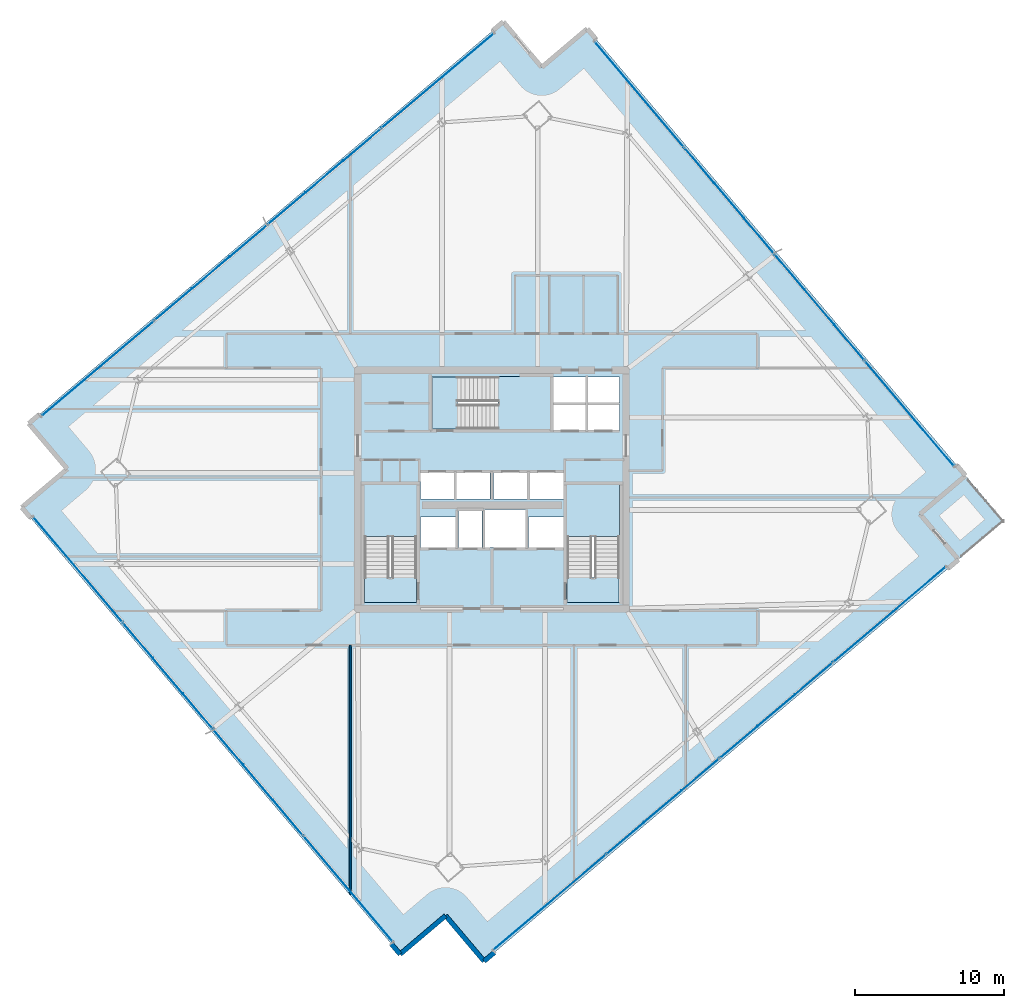
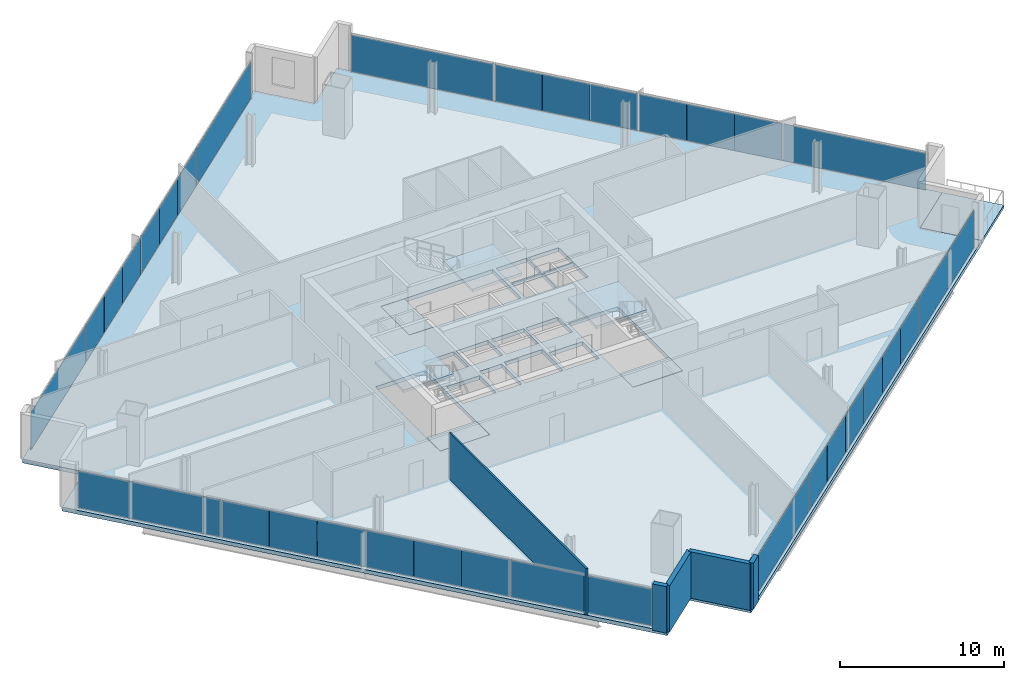
# One storey, part 25 of 34: 32 plates, 8 slabs, 5 walls, 7 elements without a shape of their own.
"""IFC4 building model written with IfcOpenShell, lengths in metres."""

from ifc_helpers import new_model, si_unit, direction, frame, frame_2d, origin, origin_2d, place, context, subcontext, project, spatial, polyline, rectangle, outline, extrude, source, transform, mapped, material, layer, layer_set, type_object, element, aggregate, save


model = new_model("IFC4")

# Units and contexts
model_context = context("Model", 3, precision=1e-05, world=origin(), true_north=direction((0.0, 1.0)))
body_context = subcontext(model_context, "Body", "Model", "MODEL_VIEW")
ifc_project = project(units=[si_unit("LENGTHUNIT", "METRE"), si_unit("AREAUNIT", "SQUARE_METRE"), si_unit("VOLUMEUNIT", "CUBIC_METRE"), si_unit("PLANEANGLEUNIT", "RADIAN"), si_unit("MASSUNIT", "GRAM", prefix="KILO")], contexts=[model_context])

# Site, building, storey
site_placement = place(None, origin())
site = spatial("IfcSite", under=ifc_project, at=site_placement, CompositionType="ELEMENT")
building_placement = place(site_placement, origin())
building = spatial("IfcBuilding", under=site, at=building_placement, Name="Haldenkirk Collegiate Tower", CompositionType="ELEMENT")
storey_placement = place(building_placement, frame((0.0, 0.0, 163.199951171875)))
storey = spatial("IfcBuildingStorey", under=building, at=storey_placement, Name="L40", CompositionType="ELEMENT", Elevation=163.199951171875)

# Slab
ifc_material_1 = material(Name="Concrete f'c 40 MPa", Category="concrete")
ifc_layer_1 = layer(ifc_material_1, 0.2900390625)
ifc_layer_set_1 = layer_set([ifc_layer_1], Name="Concrete f'c 40 MPa")
slab_type_1 = type_object("IfcSlabType", Name="SLB-FLR-290", PredefinedType="FLOOR", material=ifc_layer_set_1)
slab_1_placement = place(storey_placement, frame((0.0, 0.0, -0.2900390625)))
element("IfcSlab", 1, at=slab_1_placement, inside=storey, type_object=slab_type_1, Name="L40 composite structural floor slab", PredefinedType="FLOOR", context=body_context, shape_type="SweptSolid", body=[
    extrude(outline(polyline([(35.48046875, -5.65576171875), (67.307373046875, 21.28759765625), (64.722900390625, 24.340576171875), (67.775634765625, 26.925048828125), (42.399169921875, 56.901123046875), (39.34619140625, 54.316650390625), (36.76171875, 57.369384765625), (4.93505859375, 30.426025390625), (7.51953125, 27.373291015625), (4.466552734375, 24.788818359375), (29.843017578125, -5.187255859375), (32.89599609375, -2.602783203125), (35.48046875, -5.65576171875)]), holes=[polyline([(27.449951171875, 18.39990234375), (30.949951171875, 18.39990234375), (30.949951171875, 26.300048828125), (27.449951171875, 26.300048828125), (27.449951171875, 18.39990234375)]), polyline([(41.050048828125, 18.39990234375), (44.550048828125, 18.39990234375), (44.550048828125, 26.300048828125), (41.050048828125, 26.300048828125), (41.050048828125, 18.39990234375)]), polyline([(32.0, 30.050048828125), (39.89990234375, 30.050048828125), (39.89990234375, 33.550048828125), (32.0, 33.550048828125), (32.0, 30.050048828125)]), polyline([(33.75, 22.10009765625), (35.35009765625, 22.10009765625), (35.35009765625, 24.550048828125), (33.75, 24.550048828125), (33.75, 22.10009765625)]), polyline([(40.14990234375, 29.949951171875), (42.320068359375, 29.949951171875), (42.320068359375, 31.699951171875), (40.14990234375, 31.699951171875), (40.14990234375, 29.949951171875)]), polyline([(42.419921875, 29.949951171875), (44.550048828125, 29.949951171875), (44.550048828125, 31.699951171875), (42.419921875, 31.699951171875), (42.419921875, 29.949951171875)]), polyline([(40.14990234375, 31.800048828125), (42.320068359375, 31.800048828125), (42.320068359375, 33.550048828125), (40.14990234375, 33.550048828125), (40.14990234375, 31.800048828125)]), polyline([(42.419921875, 31.800048828125), (44.550048828125, 31.800048828125), (44.550048828125, 33.550048828125), (42.419921875, 33.550048828125), (42.419921875, 31.800048828125)]), polyline([(31.199951171875, 25.35009765625), (33.47998046875, 25.35009765625), (33.47998046875, 27.14990234375), (31.199951171875, 27.14990234375), (31.199951171875, 25.35009765625)]), polyline([(33.60009765625, 25.35009765625), (35.8798828125, 25.35009765625), (35.8798828125, 27.14990234375), (33.60009765625, 27.14990234375), (33.60009765625, 25.35009765625)]), polyline([(36.1201171875, 25.35009765625), (38.39990234375, 25.35009765625), (38.39990234375, 27.14990234375), (36.1201171875, 27.14990234375), (36.1201171875, 25.35009765625)]), polyline([(38.52001953125, 25.35009765625), (40.800048828125, 25.35009765625), (40.800048828125, 27.14990234375), (38.52001953125, 27.14990234375), (38.52001953125, 25.35009765625)]), polyline([(31.199951171875, 22.10009765625), (33.550048828125, 22.10009765625), (33.550048828125, 24.14990234375), (31.199951171875, 24.14990234375), (31.199951171875, 22.10009765625)]), polyline([(38.449951171875, 22.10009765625), (40.800048828125, 22.10009765625), (40.800048828125, 24.14990234375), (38.449951171875, 24.14990234375), (38.449951171875, 22.10009765625)]), polyline([(35.550048828125, 22.10009765625), (38.25, 22.10009765625), (38.25, 24.64990234375), (35.550048828125, 24.64990234375), (35.550048828125, 22.10009765625)])]), origin(), (0.0, 0.0, 1.0), 0.2900390625),
])

# Stair, slab
stair_type = type_object("IfcStairType", Name="STR-DOGLEG-1650", PredefinedType="HALF_TURN_STAIR", material=ifc_material_1)
stair_1_placement = place(storey_placement, origin())
stair_1 = element("IfcStair", 2, at=stair_1_placement, inside=storey, type_object=stair_type, Name="L40 Core Exit Stair ST-1", PredefinedType="HALF_TURN_STAIR")
ifc_layer_2 = layer(ifc_material_1, 0.199951171875)
ifc_layer_set_2 = layer_set([ifc_layer_2], Name="Concrete f'c 40 MPa")
slab_type_2 = type_object("IfcSlabType", Name="SLB-LANDING-200", PredefinedType="LANDING", material=ifc_layer_set_2)
slab_2_placement = place(storey_placement, frame((0.0, 0.0, 1.675048828125)))
slab_2 = element("IfcSlab", 3, at=slab_2_placement, type_object=slab_type_2, Name="ST-1 landing 1", PredefinedType="LANDING", context=body_context, shape_type="SweptSolid", body=[
    extrude(outline(polyline([(30.97509765625, 22.824951171875), (27.425048828125, 22.824951171875), (27.425048828125, 26.324951171875), (30.97509765625, 26.324951171875), (30.97509765625, 22.824951171875)])), origin(), (0.0, 0.0, 1.0), 0.199951171875),
])
aggregate(stair_1, [slab_2])

stair_2_placement = place(storey_placement, origin())
stair_2 = element("IfcStair", 4, at=stair_2_placement, inside=storey, type_object=stair_type, Name="L40 Core Exit Stair ST-2", PredefinedType="HALF_TURN_STAIR")
slab_3_placement = place(storey_placement, frame((0.0, 0.0, 1.675048828125)))
slab_3 = element("IfcSlab", 5, at=slab_3_placement, type_object=slab_type_2, Name="ST-2 landing 1", PredefinedType="LANDING", context=body_context, shape_type="SweptSolid", body=[
    extrude(outline(polyline([(44.574951171875, 22.824951171875), (41.02490234375, 22.824951171875), (41.02490234375, 26.324951171875), (44.574951171875, 26.324951171875), (44.574951171875, 22.824951171875)])), origin(), (0.0, 0.0, 1.0), 0.199951171875),
])
aggregate(stair_2, [slab_3])

stair_3_placement = place(storey_placement, origin())
stair_3 = element("IfcStair", 6, at=stair_3_placement, inside=storey, type_object=stair_type, Name="L40 Core Exit Stair ST-3", PredefinedType="HALF_TURN_STAIR")
slab_4_placement = place(storey_placement, frame((0.0, 0.0, 1.675048828125)))
slab_4 = element("IfcSlab", 7, at=slab_4_placement, type_object=slab_type_2, Name="ST-3 landing 1", PredefinedType="LANDING", context=body_context, shape_type="SweptSolid", body=[
    extrude(outline(polyline([(36.425048828125, 30.02490234375), (36.425048828125, 33.574951171875), (39.925048828125, 33.574951171875), (39.925048828125, 30.02490234375), (36.425048828125, 30.02490234375)])), origin(), (0.0, 0.0, 1.0), 0.199951171875),
])
aggregate(stair_3, [slab_4])

# Slabs
ifc_layer_3 = layer(ifc_material_1, 0.25)
ifc_layer_set_3 = layer_set([ifc_layer_3], Name="Concrete f'c 40 MPa")
slab_type_3 = type_object("IfcSlabType", Name="SLB-STAIRLAND-250", PredefinedType="LANDING", material=ifc_layer_set_3)
slab_5_placement = place(storey_placement, frame((0.0, 0.0, -0.25)))
element("IfcSlab", 8, at=slab_5_placement, inside=storey, type_object=slab_type_3, Name="L40 stair ST1 structural floor landing slab", PredefinedType="LANDING", context=body_context, shape_type="SweptSolid", body=[
    extrude(outline(polyline([(27.4599609375, 18.409912109375), (30.93994140625, 18.409912109375), (30.93994140625, 20.080078125), (27.4599609375, 20.080078125), (27.4599609375, 18.409912109375)])), origin(), (0.0, 0.0, 1.0), 0.25),
])
slab_6_placement = place(storey_placement, frame((0.0, 0.0, -0.25)))
element("IfcSlab", 9, at=slab_6_placement, inside=storey, type_object=slab_type_3, Name="L40 stair ST2 structural floor landing slab", PredefinedType="LANDING", context=body_context, shape_type="SweptSolid", body=[
    extrude(outline(polyline([(41.06005859375, 18.409912109375), (44.5400390625, 18.409912109375), (44.5400390625, 20.080078125), (41.06005859375, 20.080078125), (41.06005859375, 18.409912109375)])), origin(), (0.0, 0.0, 1.0), 0.25),
])
slab_7_placement = place(storey_placement, frame((0.0, 0.0, -0.25)))
element("IfcSlab", 10, at=slab_7_placement, inside=storey, type_object=slab_type_3, Name="L40 stair ST3 structural floor landing slab", PredefinedType="LANDING", context=body_context, shape_type="SweptSolid", body=[
    extrude(outline(polyline([(32.010009765625, 30.06005859375), (33.679931640625, 30.06005859375), (33.679931640625, 33.5400390625), (32.010009765625, 33.5400390625), (32.010009765625, 30.06005859375)])), origin(), (0.0, 0.0, 1.0), 0.25),
])
ifc_layer_4 = layer(ifc_material_1, 0.22998046875)
ifc_layer_set_4 = layer_set([ifc_layer_4], Name="Concrete f'c 40 MPa")
slab_type_4 = type_object("IfcSlabType", Name="SLB-TERR-SPIRAL-230", PredefinedType="FLOOR", material=ifc_layer_set_4)
slab_8_placement = place(storey_placement, frame((0.0, 0.0, -0.22998046875)))
element("IfcSlab", 11, at=slab_8_placement, inside=storey, type_object=slab_type_4, Name="L40 spiralling corner terrace slab", PredefinedType="FLOOR", context=body_context, shape_type="SweptSolid", body=[
    extrude(outline(polyline([(67.307373046875, 21.28759765625), (70.360107421875, 23.872314453125), (67.775634765625, 26.925048828125), (64.722900390625, 24.340576171875), (67.307373046875, 21.28759765625)])), origin(), (0.0, 0.0, 1.0), 0.22998046875),
])

# Curtain wall, plates
ifc_material_2 = material(Name="Anodised architectural bronze aluminium", Category="aluminium")
curtain_wall_type_1 = type_object("IfcCurtainWallType", Name="CW-SYS2-CONCAVE", PredefinedType="USERDEFINED", material=ifc_material_2)
curtain_wall_1_placement = place(storey_placement, origin())
curtain_wall_1 = element("IfcCurtainWall", 12, at=curtain_wall_1_placement, inside=storey, type_object=curtain_wall_type_1, Name="L40 South concave recessed bronze-anodised curtain wall", ObjectType="UNITISED CURTAIN WALL", PredefinedType="USERDEFINED")
ifc_material_3 = material(Name="Low-E argon triple insulating glass", Category="glass")
ifc_layer_5 = layer(ifc_material_3, 0.0419921875)
ifc_layer_set_5 = layer_set([ifc_layer_5], Name="Low-E argon triple insulating glass")
plate_type_1 = type_object("IfcPlateType", Name="CW-PNL-02", PredefinedType="CURTAIN_PANEL", material=ifc_layer_set_5)
shared_shape_1 = source(origin(), body_context, "Body", "SweptSolid", [
    extrude(rectangle(XDim=9.862548828125, YDim=0.0419921875, at=origin_2d()), origin(), (0.0, 0.0, 1.0), 2.760986328125),
])
plate_1_placement = place(storey_placement, frame((62.68310546875, 17.60888671875, 0.0751953125), z_axis=(0.0, 0.0, 1.0), x_axis=(-0.763232067994, -0.646124454254, 0.0)))
plate_1 = element("IfcPlate", 13, at=plate_1_placement, type_object=plate_type_1, Name="CW-02 panel 1.1", PredefinedType="CURTAIN_PANEL", context=body_context, shape_type="MappedRepresentation", body=[
    mapped(shared_shape_1, transform((0.0, 0.0, 0.0), x_axis=(1.0, 0.0, 0.0), y_axis=(0.0, 1.0, 0.0), z_axis=(0.0, 0.0, 1.0), scale=1.0)),
])
plate_2_placement = place(storey_placement, frame((39.8720703125, -1.7021484375, 0.0751953125), z_axis=(0.0, 0.0, 1.0), x_axis=(-0.763232067994, -0.646124454254, 0.0)))
plate_2 = element("IfcPlate", 14, at=plate_2_placement, type_object=plate_type_1, Name="CW-02 panel 4.1", PredefinedType="CURTAIN_PANEL", context=body_context, shape_type="MappedRepresentation", body=[
    mapped(shared_shape_1, transform((0.0, 0.0, 0.0), x_axis=(1.0, 0.0, 0.0), y_axis=(0.0, 1.0, 0.0), z_axis=(0.0, 0.0, 1.0), scale=1.0)),
])
shared_shape_2 = source(origin(), body_context, "Body", "SweptSolid", [
    extrude(rectangle(XDim=3.28759765625, YDim=0.0419921875, at=origin_2d()), origin(), (0.0, 0.0, 1.0), 2.760986328125),
])
plate_3_placement = place(storey_placement, frame((57.607666015625, 13.312255859375, 0.0751953125), z_axis=(0.0, 0.0, 1.0), x_axis=(-0.763232067994, -0.646124454254, 0.0)))
plate_3 = element("IfcPlate", 15, at=plate_3_placement, type_object=plate_type_1, Name="CW-02 panel 2.1a", PredefinedType="CURTAIN_PANEL", context=body_context, shape_type="MappedRepresentation", body=[
    mapped(shared_shape_2, transform((0.0, 0.0, 0.0), x_axis=(1.0, 0.0, 0.0), y_axis=(0.0, 1.0, 0.0), z_axis=(0.0, 0.0, 1.0), scale=1.0)),
])
ifc_material_4 = material(Name="Bronze-anodised insulated aluminium spandrel panel", Category="aluminium")
ifc_layer_6 = layer(ifc_material_4, 0.0419921875)
ifc_layer_set_6 = layer_set([ifc_layer_6], Name="Bronze-anodised insulated aluminium spandrel panel")
plate_type_2 = type_object("IfcPlateType", Name="CW-SPD-02", PredefinedType="CURTAIN_PANEL", material=ifc_layer_set_6)
plate_4_placement = place(storey_placement, frame((52.560791015625, 9.039794921875, 0.0751953125), z_axis=(0.0, 0.0, 1.0), x_axis=(-0.763232067994, -0.646124454254, 0.0)))
plate_4 = element("IfcPlate", 16, at=plate_4_placement, type_object=plate_type_2, Name="CW-02 spandrel panel 2.1c", PredefinedType="CURTAIN_PANEL", context=body_context, shape_type="MappedRepresentation", body=[
    mapped(shared_shape_2, transform((0.0, 0.0, 0.0), x_axis=(1.0, 0.0, 0.0), y_axis=(0.0, 1.0, 0.0), z_axis=(0.0, 0.0, 1.0), scale=1.0)),
])
plate_5_placement = place(storey_placement, frame((49.994384765625, 6.8671875, 0.0751953125), z_axis=(0.0, 0.0, 1.0), x_axis=(-0.763232067994, -0.646124454254, 0.0)))
plate_5 = element("IfcPlate", 17, at=plate_5_placement, type_object=plate_type_2, Name="CW-02 spandrel panel 3.1a", PredefinedType="CURTAIN_PANEL", context=body_context, shape_type="MappedRepresentation", body=[
    mapped(shared_shape_2, transform((0.0, 0.0, 0.0), x_axis=(1.0, 0.0, 0.0), y_axis=(0.0, 1.0, 0.0), z_axis=(0.0, 0.0, 1.0), scale=1.0)),
])
plate_6_placement = place(storey_placement, frame((44.947509765625, 2.594482421875, 0.0751953125), z_axis=(0.0, 0.0, 1.0), x_axis=(-0.763232067994, -0.646124454254, 0.0)))
plate_6 = element("IfcPlate", 18, at=plate_6_placement, type_object=plate_type_2, Name="CW-02 spandrel panel 3.1c", PredefinedType="CURTAIN_PANEL", context=body_context, shape_type="MappedRepresentation", body=[
    mapped(shared_shape_2, transform((0.0, 0.0, 0.0), x_axis=(1.0, 0.0, 0.0), y_axis=(0.0, 1.0, 0.0), z_axis=(0.0, 0.0, 1.0), scale=1.0)),
])
shared_shape_3 = source(origin(), body_context, "Body", "SweptSolid", [
    extrude(rectangle(XDim=3.27490234375, YDim=0.0419921875, at=origin_2d()), origin(), (0.0, 0.0, 1.0), 2.760986328125),
])
plate_7_placement = place(storey_placement, frame((55.084228515625, 11.17578125, 0.0751953125), z_axis=(0.0, 0.0, 1.0), x_axis=(-0.763232067994, -0.646124454254, 0.0)))
plate_7 = element("IfcPlate", 19, at=plate_7_placement, type_object=plate_type_2, Name="CW-02 spandrel panel 2.1b", PredefinedType="CURTAIN_PANEL", context=body_context, shape_type="MappedRepresentation", body=[
    mapped(shared_shape_3, transform((0.0, 0.0, 0.0), x_axis=(1.0, 0.0, 0.0), y_axis=(0.0, 1.0, 0.0), z_axis=(0.0, 0.0, 1.0), scale=1.0)),
])
plate_8_placement = place(storey_placement, frame((47.470947265625, 4.730712890625, 0.0751953125), z_axis=(0.0, 0.0, 1.0), x_axis=(-0.763232067994, -0.646124454254, 0.0)))
plate_8 = element("IfcPlate", 20, at=plate_8_placement, type_object=plate_type_2, Name="CW-02 spandrel panel 3.1b", PredefinedType="CURTAIN_PANEL", context=body_context, shape_type="MappedRepresentation", body=[
    mapped(shared_shape_3, transform((0.0, 0.0, 0.0), x_axis=(1.0, 0.0, 0.0), y_axis=(0.0, 1.0, 0.0), z_axis=(0.0, 0.0, 1.0), scale=1.0)),
])
aggregate(curtain_wall_1, [plate_1, plate_3, plate_7, plate_4, plate_5, plate_8, plate_6, plate_2])

curtain_wall_type_2 = type_object("IfcCurtainWallType", Name="CW-SYS1-CONVEX-LOW", PredefinedType="USERDEFINED", material=ifc_material_2)
curtain_wall_2_placement = place(storey_placement, origin())
curtain_wall_2 = element("IfcCurtainWall", 21, at=curtain_wall_2_placement, inside=storey, type_object=curtain_wall_type_2, Name="L40 Lower tower convex bronze-framed unitised curtain wall", ObjectType="UNITISED CURTAIN WALL", PredefinedType="USERDEFINED")
ifc_layer_7 = layer(ifc_material_3, 0.0439453125)
ifc_layer_set_7 = layer_set([ifc_layer_7], Name="Low-E argon triple insulating glass")
plate_type_3 = type_object("IfcPlateType", Name="CW-PNL-1A", PredefinedType="CURTAIN_PANEL", material=ifc_layer_set_7)
shared_shape_4 = source(origin(), body_context, "Body", "SweptSolid", [
    extrude(rectangle(XDim=9.248779296875, YDim=0.0439453125, at=origin_2d()), origin(), (0.0, 0.0, 1.0), 2.7509765625),
])
plate_9_placement = place(storey_placement, frame((45.8828125, 52.50732421875, 0.080078125), z_axis=(0.0, 0.0, 1.0), x_axis=(0.646123208095, -0.763233122945, 0.0)))
plate_9 = element("IfcPlate", 22, at=plate_9_placement, type_object=plate_type_3, Name="CW-1A panel 1.1", PredefinedType="CURTAIN_PANEL", context=body_context, shape_type="MappedRepresentation", body=[
    mapped(shared_shape_4, transform((0.0, 0.0, 0.0), x_axis=(1.0, 0.0, 0.0), y_axis=(0.0, 1.0, 0.0), z_axis=(0.0, 0.0, 1.0), scale=1.0)),
])
plate_10_placement = place(storey_placement, frame((64.01708984375, 31.086181640625, 0.080078125), z_axis=(0.0, 0.0, 1.0), x_axis=(0.646123208095, -0.763233122945, 0.0)))
plate_10 = element("IfcPlate", 23, at=plate_10_placement, type_object=plate_type_3, Name="CW-1A panel 4.1", PredefinedType="CURTAIN_PANEL", context=body_context, shape_type="MappedRepresentation", body=[
    mapped(shared_shape_4, transform((0.0, 0.0, 0.0), x_axis=(1.0, 0.0, 0.0), y_axis=(0.0, 1.0, 0.0), z_axis=(0.0, 0.0, 1.0), scale=1.0)),
])

curtain_wall_3_placement = place(storey_placement, origin())
curtain_wall_3 = element("IfcCurtainWall", 24, at=curtain_wall_3_placement, inside=storey, type_object=curtain_wall_type_2, Name="L40 Lower tower convex bronze-framed unitised curtain wall", ObjectType="UNITISED CURTAIN WALL", PredefinedType="USERDEFINED")
plate_11_placement = place(storey_placement, frame((26.359375, -0.79345703125, 0.080078125), z_axis=(0.0, 0.0, 1.0), x_axis=(-0.646123208095, 0.763233122945, 0.0)))
plate_11 = element("IfcPlate", 25, at=plate_11_placement, type_object=plate_type_3, Name="CW-1A panel 1.1", PredefinedType="CURTAIN_PANEL", context=body_context, shape_type="MappedRepresentation", body=[
    mapped(shared_shape_4, transform((0.0, 0.0, 0.0), x_axis=(1.0, 0.0, 0.0), y_axis=(0.0, 1.0, 0.0), z_axis=(0.0, 0.0, 1.0), scale=1.0)),
])
plate_12_placement = place(storey_placement, frame((8.22509765625, 20.62744140625, 0.080078125), z_axis=(0.0, 0.0, 1.0), x_axis=(-0.646123208095, 0.763233122945, 0.0)))
plate_12 = element("IfcPlate", 26, at=plate_12_placement, type_object=plate_type_3, Name="CW-1A panel 4.1", PredefinedType="CURTAIN_PANEL", context=body_context, shape_type="MappedRepresentation", body=[
    mapped(shared_shape_4, transform((0.0, 0.0, 0.0), x_axis=(1.0, 0.0, 0.0), y_axis=(0.0, 1.0, 0.0), z_axis=(0.0, 0.0, 1.0), scale=1.0)),
])

# Plate
shared_shape_5 = source(origin(), body_context, "Body", "SweptSolid", [
    extrude(rectangle(XDim=3.083740234375, YDim=0.0439453125, at=origin_2d()), origin(), (0.0, 0.0, 1.0), 2.7509765625),
])
plate_13_placement = place(storey_placement, frame((49.918701171875, 47.739990234375, 0.080078125), z_axis=(0.0, 0.0, 1.0), x_axis=(0.646123208095, -0.763233122945, 0.0)))
plate_13 = element("IfcPlate", 27, at=plate_13_placement, type_object=plate_type_3, Name="CW-1A panel 2.1a", PredefinedType="CURTAIN_PANEL", context=body_context, shape_type="MappedRepresentation", body=[
    mapped(shared_shape_5, transform((0.0, 0.0, 0.0), x_axis=(1.0, 0.0, 0.0), y_axis=(0.0, 1.0, 0.0), z_axis=(0.0, 0.0, 1.0), scale=1.0)),
])

ifc_layer_8 = layer(ifc_material_4, 0.0439453125)
ifc_layer_set_8 = layer_set([ifc_layer_8], Name="Bronze-anodised insulated aluminium spandrel panel")
plate_type_4 = type_object("IfcPlateType", Name="CW-SPD-1A", PredefinedType="CURTAIN_PANEL", material=ifc_layer_set_8)
plate_14_placement = place(storey_placement, frame((53.927978515625, 43.004150390625, 0.080078125), z_axis=(0.0, 0.0, 1.0), x_axis=(0.646123208095, -0.763233122945, 0.0)))
plate_14 = element("IfcPlate", 28, at=plate_14_placement, type_object=plate_type_4, Name="CW-1A spandrel panel 2.1c", PredefinedType="CURTAIN_PANEL", context=body_context, shape_type="MappedRepresentation", body=[
    mapped(shared_shape_5, transform((0.0, 0.0, 0.0), x_axis=(1.0, 0.0, 0.0), y_axis=(0.0, 1.0, 0.0), z_axis=(0.0, 0.0, 1.0), scale=1.0)),
])

plate_15_placement = place(storey_placement, frame((55.97216796875, 40.589599609375, 0.080078125), z_axis=(0.0, 0.0, 1.0), x_axis=(0.646123208095, -0.763233122945, 0.0)))
plate_15 = element("IfcPlate", 29, at=plate_15_placement, type_object=plate_type_4, Name="CW-1A spandrel panel 3.1a", PredefinedType="CURTAIN_PANEL", context=body_context, shape_type="MappedRepresentation", body=[
    mapped(shared_shape_5, transform((0.0, 0.0, 0.0), x_axis=(1.0, 0.0, 0.0), y_axis=(0.0, 1.0, 0.0), z_axis=(0.0, 0.0, 1.0), scale=1.0)),
])

plate_16_placement = place(storey_placement, frame((59.981201171875, 35.853515625, 0.080078125), z_axis=(0.0, 0.0, 1.0), x_axis=(0.646123208095, -0.763233122945, 0.0)))
plate_16 = element("IfcPlate", 30, at=plate_16_placement, type_object=plate_type_4, Name="CW-1A spandrel panel 3.1c", PredefinedType="CURTAIN_PANEL", context=body_context, shape_type="MappedRepresentation", body=[
    mapped(shared_shape_5, transform((0.0, 0.0, 0.0), x_axis=(1.0, 0.0, 0.0), y_axis=(0.0, 1.0, 0.0), z_axis=(0.0, 0.0, 1.0), scale=1.0)),
])

plate_17_placement = place(storey_placement, frame((22.323486328125, 3.973876953125, 0.080078125), z_axis=(0.0, 0.0, 1.0), x_axis=(-0.646123208095, 0.763233122945, 0.0)))
plate_17 = element("IfcPlate", 31, at=plate_17_placement, type_object=plate_type_3, Name="CW-1A panel 2.1a", PredefinedType="CURTAIN_PANEL", context=body_context, shape_type="MappedRepresentation", body=[
    mapped(shared_shape_5, transform((0.0, 0.0, 0.0), x_axis=(1.0, 0.0, 0.0), y_axis=(0.0, 1.0, 0.0), z_axis=(0.0, 0.0, 1.0), scale=1.0)),
])

plate_18_placement = place(storey_placement, frame((18.314208984375, 8.709716796875, 0.080078125), z_axis=(0.0, 0.0, 1.0), x_axis=(-0.646123208095, 0.763233122945, 0.0)))
plate_18 = element("IfcPlate", 32, at=plate_18_placement, type_object=plate_type_4, Name="CW-1A spandrel panel 2.1c", PredefinedType="CURTAIN_PANEL", context=body_context, shape_type="MappedRepresentation", body=[
    mapped(shared_shape_5, transform((0.0, 0.0, 0.0), x_axis=(1.0, 0.0, 0.0), y_axis=(0.0, 1.0, 0.0), z_axis=(0.0, 0.0, 1.0), scale=1.0)),
])

plate_19_placement = place(storey_placement, frame((16.270263671875, 11.124267578125, 0.080078125), z_axis=(0.0, 0.0, 1.0), x_axis=(-0.646123208095, 0.763233122945, 0.0)))
plate_19 = element("IfcPlate", 33, at=plate_19_placement, type_object=plate_type_4, Name="CW-1A spandrel panel 3.1a", PredefinedType="CURTAIN_PANEL", context=body_context, shape_type="MappedRepresentation", body=[
    mapped(shared_shape_5, transform((0.0, 0.0, 0.0), x_axis=(1.0, 0.0, 0.0), y_axis=(0.0, 1.0, 0.0), z_axis=(0.0, 0.0, 1.0), scale=1.0)),
])

plate_20_placement = place(storey_placement, frame((12.260986328125, 15.860107421875, 0.080078125), z_axis=(0.0, 0.0, 1.0), x_axis=(-0.646123208095, 0.763233122945, 0.0)))
plate_20 = element("IfcPlate", 34, at=plate_20_placement, type_object=plate_type_4, Name="CW-1A spandrel panel 3.1c", PredefinedType="CURTAIN_PANEL", context=body_context, shape_type="MappedRepresentation", body=[
    mapped(shared_shape_5, transform((0.0, 0.0, 0.0), x_axis=(1.0, 0.0, 0.0), y_axis=(0.0, 1.0, 0.0), z_axis=(0.0, 0.0, 1.0), scale=1.0)),
])

shared_shape_6 = source(origin(), body_context, "Body", "SweptSolid", [
    extrude(rectangle(XDim=3.0712890625, YDim=0.0439453125, at=origin_2d()), origin(), (0.0, 0.0, 1.0), 2.7509765625),
])
plate_21_placement = place(storey_placement, frame((51.92333984375, 45.3720703125, 0.080078125), z_axis=(0.0, 0.0, 1.0), x_axis=(0.646123208095, -0.763233122945, 0.0)))
plate_21 = element("IfcPlate", 35, at=plate_21_placement, type_object=plate_type_4, Name="CW-1A spandrel panel 2.1b", PredefinedType="CURTAIN_PANEL", context=body_context, shape_type="MappedRepresentation", body=[
    mapped(shared_shape_6, transform((0.0, 0.0, 0.0), x_axis=(1.0, 0.0, 0.0), y_axis=(0.0, 1.0, 0.0), z_axis=(0.0, 0.0, 1.0), scale=1.0)),
])

plate_22_placement = place(storey_placement, frame((57.976806640625, 38.221435546875, 0.080078125), z_axis=(0.0, 0.0, 1.0), x_axis=(0.646123208095, -0.763233122945, 0.0)))
plate_22 = element("IfcPlate", 36, at=plate_22_placement, type_object=plate_type_4, Name="CW-1A spandrel panel 3.1b", PredefinedType="CURTAIN_PANEL", context=body_context, shape_type="MappedRepresentation", body=[
    mapped(shared_shape_6, transform((0.0, 0.0, 0.0), x_axis=(1.0, 0.0, 0.0), y_axis=(0.0, 1.0, 0.0), z_axis=(0.0, 0.0, 1.0), scale=1.0)),
])

aggregate(curtain_wall_2, [plate_9, plate_13, plate_21, plate_14, plate_15, plate_22, plate_16, plate_10])

plate_23_placement = place(storey_placement, frame((20.31884765625, 6.341796875, 0.080078125), z_axis=(0.0, 0.0, 1.0), x_axis=(-0.646123208095, 0.763233122945, 0.0)))
plate_23 = element("IfcPlate", 37, at=plate_23_placement, type_object=plate_type_4, Name="CW-1A spandrel panel 2.1b", PredefinedType="CURTAIN_PANEL", context=body_context, shape_type="MappedRepresentation", body=[
    mapped(shared_shape_6, transform((0.0, 0.0, 0.0), x_axis=(1.0, 0.0, 0.0), y_axis=(0.0, 1.0, 0.0), z_axis=(0.0, 0.0, 1.0), scale=1.0)),
])

plate_24_placement = place(storey_placement, frame((14.265625, 13.4921875, 0.080078125), z_axis=(0.0, 0.0, 1.0), x_axis=(-0.646123208095, 0.763233122945, 0.0)))
plate_24 = element("IfcPlate", 38, at=plate_24_placement, type_object=plate_type_4, Name="CW-1A spandrel panel 3.1b", PredefinedType="CURTAIN_PANEL", context=body_context, shape_type="MappedRepresentation", body=[
    mapped(shared_shape_6, transform((0.0, 0.0, 0.0), x_axis=(1.0, 0.0, 0.0), y_axis=(0.0, 1.0, 0.0), z_axis=(0.0, 0.0, 1.0), scale=1.0)),
])

aggregate(curtain_wall_3, [plate_11, plate_17, plate_23, plate_18, plate_19, plate_24, plate_20, plate_12])

# Curtain wall, plates
curtain_wall_4_placement = place(storey_placement, origin())
curtain_wall_4 = element("IfcCurtainWall", 39, at=curtain_wall_4_placement, inside=storey, type_object=curtain_wall_type_2, Name="L40 Lower tower convex bronze-framed unitised curtain wall", ObjectType="UNITISED CURTAIN WALL", PredefinedType="USERDEFINED")
shared_shape_7 = source(origin(), body_context, "Body", "SweptSolid", [
    extrude(rectangle(XDim=9.85498046875, YDim=0.0439453125, at=origin_2d()), origin(), (0.0, 0.0, 1.0), 2.7509765625),
])
plate_25_placement = place(storey_placement, frame((9.56005859375, 34.105712890625, 0.080078125), z_axis=(0.0, 0.0, 1.0), x_axis=(0.763232067994, 0.646124454254, 0.0)))
plate_25 = element("IfcPlate", 40, at=plate_25_placement, type_object=plate_type_3, Name="CW-1A panel 1.1", PredefinedType="CURTAIN_PANEL", context=body_context, shape_type="MappedRepresentation", body=[
    mapped(shared_shape_7, transform((0.0, 0.0, 0.0), x_axis=(1.0, 0.0, 0.0), y_axis=(0.0, 1.0, 0.0), z_axis=(0.0, 0.0, 1.0), scale=1.0)),
])
plate_26_placement = place(storey_placement, frame((32.369384765625, 53.4150390625, 0.080078125), z_axis=(0.0, 0.0, 1.0), x_axis=(0.763232067994, 0.646124454254, 0.0)))
plate_26 = element("IfcPlate", 41, at=plate_26_placement, type_object=plate_type_3, Name="CW-1A panel 4.1", PredefinedType="CURTAIN_PANEL", context=body_context, shape_type="MappedRepresentation", body=[
    mapped(shared_shape_7, transform((0.0, 0.0, 0.0), x_axis=(1.0, 0.0, 0.0), y_axis=(0.0, 1.0, 0.0), z_axis=(0.0, 0.0, 1.0), scale=1.0)),
])
shared_shape_8 = source(origin(), body_context, "Body", "SweptSolid", [
    extrude(rectangle(XDim=3.285888671875, YDim=0.0439453125, at=origin_2d()), origin(), (0.0, 0.0, 1.0), 2.7509765625),
])
plate_27_placement = place(storey_placement, frame((14.635986328125, 38.402587890625, 0.080078125), z_axis=(0.0, 0.0, 1.0), x_axis=(0.763232067994, 0.646124454254, 0.0)))
plate_27 = element("IfcPlate", 42, at=plate_27_placement, type_object=plate_type_3, Name="CW-1A panel 2.1a", PredefinedType="CURTAIN_PANEL", context=body_context, shape_type="MappedRepresentation", body=[
    mapped(shared_shape_8, transform((0.0, 0.0, 0.0), x_axis=(1.0, 0.0, 0.0), y_axis=(0.0, 1.0, 0.0), z_axis=(0.0, 0.0, 1.0), scale=1.0)),
])
plate_28_placement = place(storey_placement, frame((19.68017578125, 42.673095703125, 0.080078125), z_axis=(0.0, 0.0, 1.0), x_axis=(0.763232067994, 0.646124454254, 0.0)))
plate_28 = element("IfcPlate", 43, at=plate_28_placement, type_object=plate_type_4, Name="CW-1A spandrel panel 2.1c", PredefinedType="CURTAIN_PANEL", context=body_context, shape_type="MappedRepresentation", body=[
    mapped(shared_shape_8, transform((0.0, 0.0, 0.0), x_axis=(1.0, 0.0, 0.0), y_axis=(0.0, 1.0, 0.0), z_axis=(0.0, 0.0, 1.0), scale=1.0)),
])
plate_29_placement = place(storey_placement, frame((22.249267578125, 44.847900390625, 0.080078125), z_axis=(0.0, 0.0, 1.0), x_axis=(0.763232067994, 0.646124454254, 0.0)))
plate_29 = element("IfcPlate", 44, at=plate_29_placement, type_object=plate_type_4, Name="CW-1A spandrel panel 3.1a", PredefinedType="CURTAIN_PANEL", context=body_context, shape_type="MappedRepresentation", body=[
    mapped(shared_shape_8, transform((0.0, 0.0, 0.0), x_axis=(1.0, 0.0, 0.0), y_axis=(0.0, 1.0, 0.0), z_axis=(0.0, 0.0, 1.0), scale=1.0)),
])
plate_30_placement = place(storey_placement, frame((27.29345703125, 49.1181640625, 0.080078125), z_axis=(0.0, 0.0, 1.0), x_axis=(0.763232067994, 0.646124454254, 0.0)))
plate_30 = element("IfcPlate", 45, at=plate_30_placement, type_object=plate_type_4, Name="CW-1A spandrel panel 3.1c", PredefinedType="CURTAIN_PANEL", context=body_context, shape_type="MappedRepresentation", body=[
    mapped(shared_shape_8, transform((0.0, 0.0, 0.0), x_axis=(1.0, 0.0, 0.0), y_axis=(0.0, 1.0, 0.0), z_axis=(0.0, 0.0, 1.0), scale=1.0)),
])
shared_shape_9 = source(origin(), body_context, "Body", "SweptSolid", [
    extrude(rectangle(XDim=3.273193359375, YDim=0.0439453125, at=origin_2d()), origin(), (0.0, 0.0, 1.0), 2.7509765625),
])
plate_31_placement = place(storey_placement, frame((17.158203125, 40.537841796875, 0.080078125), z_axis=(0.0, 0.0, 1.0), x_axis=(0.763232067994, 0.646124454254, 0.0)))
plate_31 = element("IfcPlate", 46, at=plate_31_placement, type_object=plate_type_4, Name="CW-1A spandrel panel 2.1b", PredefinedType="CURTAIN_PANEL", context=body_context, shape_type="MappedRepresentation", body=[
    mapped(shared_shape_9, transform((0.0, 0.0, 0.0), x_axis=(1.0, 0.0, 0.0), y_axis=(0.0, 1.0, 0.0), z_axis=(0.0, 0.0, 1.0), scale=1.0)),
])
plate_32_placement = place(storey_placement, frame((24.771240234375, 46.98291015625, 0.080078125), z_axis=(0.0, 0.0, 1.0), x_axis=(0.763232067994, 0.646124454254, 0.0)))
plate_32 = element("IfcPlate", 47, at=plate_32_placement, type_object=plate_type_4, Name="CW-1A spandrel panel 3.1b", PredefinedType="CURTAIN_PANEL", context=body_context, shape_type="MappedRepresentation", body=[
    mapped(shared_shape_9, transform((0.0, 0.0, 0.0), x_axis=(1.0, 0.0, 0.0), y_axis=(0.0, 1.0, 0.0), z_axis=(0.0, 0.0, 1.0), scale=1.0)),
])
aggregate(curtain_wall_4, [plate_25, plate_27, plate_31, plate_28, plate_29, plate_32, plate_30, plate_26])

# Walls
ifc_material_5 = material(Name="Precast concrete f'c 40 MPa", Category="concrete")
ifc_layer_9 = layer(ifc_material_5, 0.320068359375)
ifc_layer_set_9 = layer_set([ifc_layer_9], Name="Precast concrete f'c 40 MPa")
wall_type_1 = type_object("IfcWallType", Name="WL-EXT-TWR-320", PredefinedType="STANDARD", material=ifc_layer_set_9)
wall_1_placement = place(storey_placement, frame((36.16748046875, -5.07421875, 0.0), z_axis=(0.0, 0.0, 1.0), x_axis=(-0.763262811519, -0.64608813683, 0.0)))
element("IfcWall", 48, at=wall_1_placement, inside=storey, type_object=wall_type_1, Name="L40 precast corner pier SR", PredefinedType="STANDARD", context=body_context, shape_type="SweptSolid", body=[
    extrude(rectangle(XDim=0.900146484375, YDim=0.320068359375, at=frame_2d((0.4501953125, 0.0))), origin(), (0.0, 0.0, 1.0), 3.4599609375),
])
wall_2_placement = place(storey_placement, frame((29.843017578125, -5.187255859375, 0.0), z_axis=(0.0, 0.0, 1.0), x_axis=(-0.646063869066, 0.763283353079, 0.0)))
element("IfcWall", 49, at=wall_2_placement, inside=storey, type_object=wall_type_1, Name="L40 precast corner pier WL", PredefinedType="STANDARD", context=body_context, shape_type="SweptSolid", body=[
    extrude(rectangle(XDim=0.899658203125, YDim=0.320068359375, at=frame_2d((0.44970703125, 0.0))), origin(), (0.0, 0.0, 1.0), 3.4599609375),
])
for number, where, z_axis, x_axis, name in (
    (50, (32.89599609375, -2.602783203125, 0.0), (0.0, 0.0, 1.0), (-0.763240413737, -0.646114595748, 0.0), "L40 bronze precast notch wall 11"),
    (51, (35.48046875, -5.65576171875, 0.0), (0.0, 0.0, 1.0), (-0.646114595748, 0.763240413737, 0.0), "L40 bronze precast notch wall 12"),
):
    element("IfcWall", number, at=place(storey_placement, frame(where, z_axis=z_axis, x_axis=x_axis)), inside=storey, type_object=wall_type_1, Name=name, PredefinedType="STANDARD", context=body_context, shape_type="SweptSolid", body=[
        extrude(rectangle(XDim=4.0, YDim=0.320068359375, at=frame_2d((2.0, 0.0))), origin(), (0.0, 0.0, 1.0), 3.4599609375),
    ])
ifc_material_6 = material(Name="Acoustic fire-rated gypsum partition", Category="concrete")
ifc_layer_10 = layer(ifc_material_6, 0.1201171875)
ifc_layer_set_10 = layer_set([ifc_layer_10], Name="Acoustic fire-rated gypsum partition")
wall_type_2 = type_object("IfcWallType", Name="WL-INT-WET-120", PredefinedType="PARTITIONING", material=ifc_layer_set_10)
wall_3_placement = place(storey_placement, frame((26.5, -1.176513671875, 0.0), z_axis=(0.0, 0.0, 1.0), x_axis=(0.0, 1.0, 0.0)))
element("IfcWall", 52, at=wall_3_placement, inside=storey, type_object=wall_type_2, Name="L40 interior partition IW-L40-RS1", PredefinedType="PARTITIONING", context=body_context, shape_type="SweptSolid", body=[
    extrude(rectangle(XDim=16.7265625, YDim=0.1201171875, at=frame_2d((8.36328125, 0.0))), origin(), (0.0, 0.0, 1.0), 3.4599609375),
])

save(model, "model.ifc")
